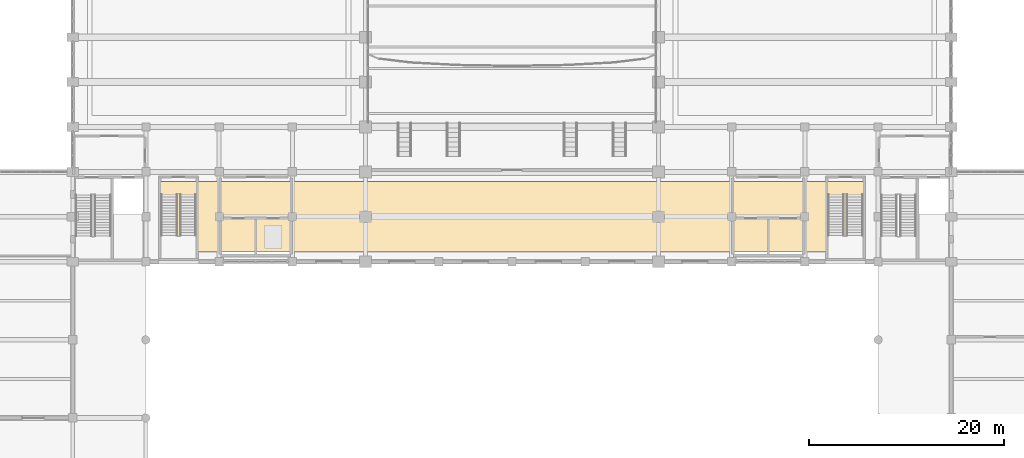
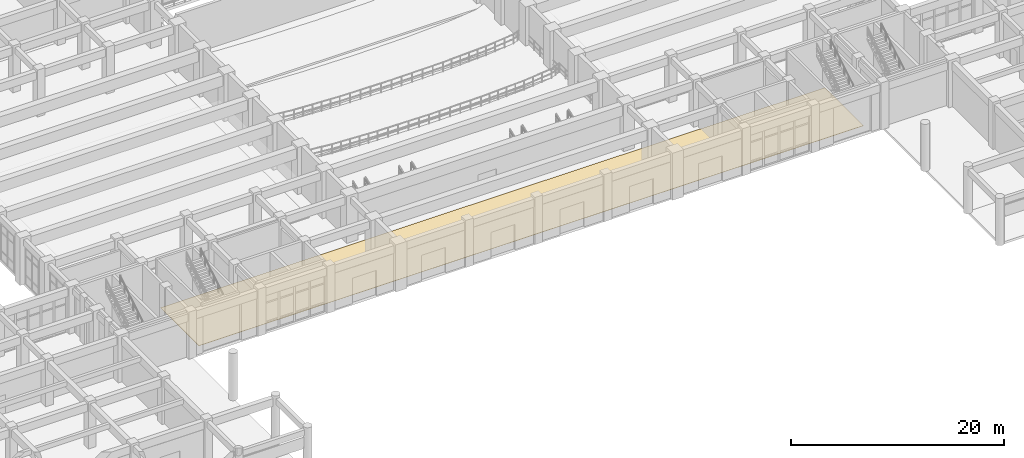
# One storey, part 77 of 84: 1 covering.
"""IFC4 building model written with IfcOpenShell, lengths in metres."""

from ifc_helpers import new_model, si_unit, direction, origin, place, context, subcontext, project, spatial, polyline, outline, extrude, material, layer, layer_set, type_object, element, save


model = new_model("IFC4")

# Units and contexts
model_context = context("Model", 3, precision=1e-05, world=origin(), true_north=direction((0.0, 1.0)))
body_context = subcontext(model_context, "Body", "Model", "MODEL_VIEW")
ifc_project = project(units=[si_unit("LENGTHUNIT", "METRE"), si_unit("AREAUNIT", "SQUARE_METRE"), si_unit("VOLUMEUNIT", "CUBIC_METRE"), si_unit("PLANEANGLEUNIT", "RADIAN"), si_unit("MASSUNIT", "GRAM", prefix="KILO")], contexts=[model_context])

# Site, building, storey
site_placement = place(None, origin())
site = spatial("IfcSite", under=ifc_project, at=site_placement, CompositionType="ELEMENT")
building_placement = place(site_placement, origin())
building = spatial("IfcBuilding", under=site, at=building_placement, Name="Muzn Square Opera House", CompositionType="ELEMENT")
storey_placement = place(building_placement, origin())
storey = spatial("IfcBuildingStorey", under=building, at=storey_placement, Name="L00", CompositionType="ELEMENT", Elevation=0.0)

# Covering
ifc_material = material(Name="Polished limestone terrazzo", Category="stone")
ifc_layer = layer(ifc_material, 0.030029296875, Name="Polished limestone terrazzo", Category="stone")
ifc_layer_set = layer_set([ifc_layer], Name="Polished limestone terrazzo")
covering_type = type_object("IfcCoveringType", Name="Polished Terrazzo Promenade Flooring", PredefinedType="FLOORING", material=ifc_layer_set)
covering_placement = place(storey_placement, origin())
element("IfcCovering", 1, at=covering_placement, inside=storey, type_object=covering_type, Name="Grand Entrance Foyer Terrazzo Flooring", PredefinedType="FLOORING", context=body_context, shape_type="SweptSolid", body=[
    extrude(outline(polyline([(52.0, 23.0), (124.0, 23.0), (124.0, 30.199951171875), (52.0, 30.199951171875), (52.0, 23.0)])), origin(), (0.0, 0.0, 1.0), 0.030029296875),
])

save(model, "model.ifc")
